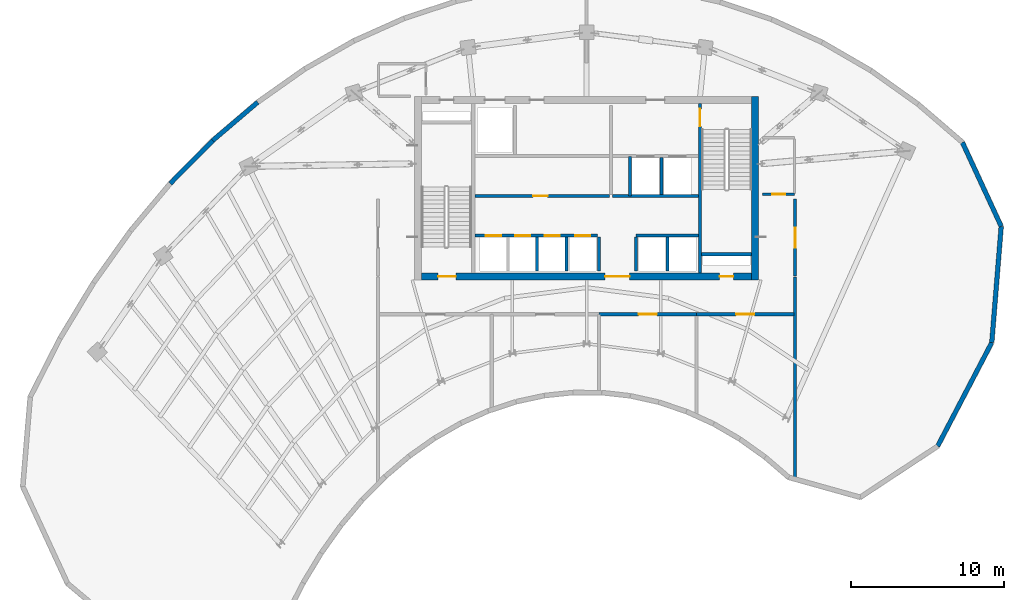
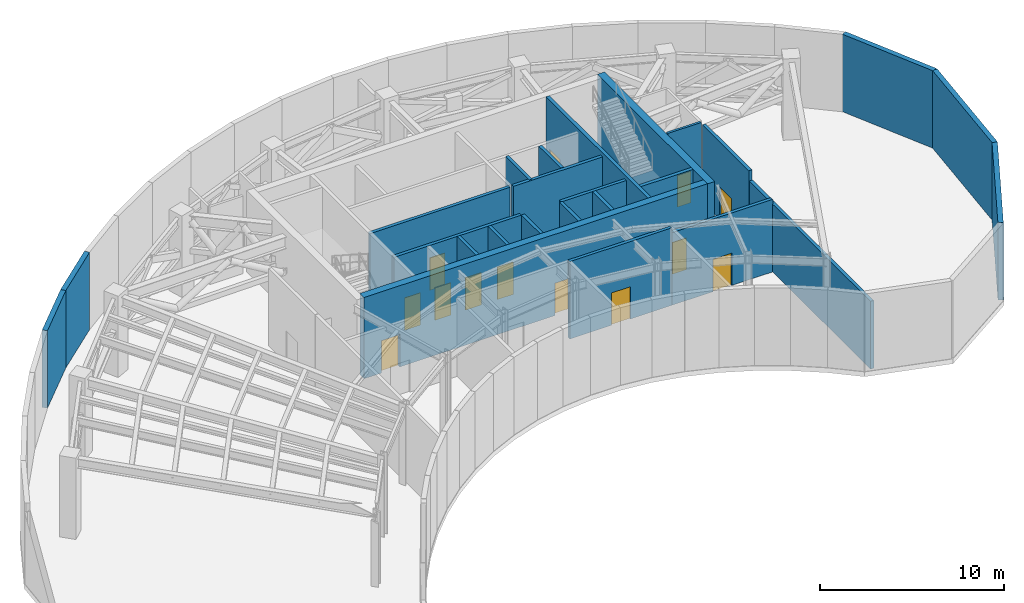
# One storey, part 7 of 10: 25 walls, 13 doors, 13 openings.
"""IFC4 building model written with IfcOpenShell, lengths in metres."""

from ifc_helpers import new_model, si_unit, direction, frame, frame_2d, origin, place, context, subcontext, project, spatial, rectangle, extrude, source, transform, mapped, material, layer, layer_set, type_object, type_shapes, element, fill, save


model = new_model("IFC4")

# Units and contexts
model_context = context("Model", 3, precision=1e-05, world=origin(), true_north=direction((0.0, 1.0)))
body_context = subcontext(model_context, "Body", "Model", "MODEL_VIEW")
ifc_project = project(units=[si_unit("LENGTHUNIT", "METRE"), si_unit("AREAUNIT", "SQUARE_METRE"), si_unit("VOLUMEUNIT", "CUBIC_METRE"), si_unit("PLANEANGLEUNIT", "RADIAN"), si_unit("MASSUNIT", "GRAM", prefix="KILO")], contexts=[model_context])

# Site, building, storey
site_placement = place(None, origin())
site = spatial("IfcSite", under=ifc_project, at=site_placement, CompositionType="ELEMENT")
building_placement = place(site_placement, origin())
building = spatial("IfcBuilding", under=site, at=building_placement, Name="Breltana Convention Tower", CompositionType="ELEMENT")
storey_placement = place(building_placement, frame((0.0, 0.0, 254.699951171875)))
storey = spatial("IfcBuildingStorey", under=building, at=storey_placement, Name="L62", CompositionType="ELEMENT", Elevation=254.699951171875)

# Wall
ifc_material_1 = material(Name="Concrete C60/75", Category="concrete")
ifc_layer_1 = layer(ifc_material_1, 0.449951171875, Name="Concrete C60/75")
ifc_layer_set_1 = layer_set([ifc_layer_1], Name="Concrete C60/75")
wall_type_1 = type_object("IfcWallType", Name="SW-CORE-450", PredefinedType="SHEAR", material=ifc_layer_set_1)
shared_shape_1 = source(origin(), body_context, "Body", "SweptSolid", [
    extrude(rectangle(XDim=12.0, YDim=0.449951171875, at=frame_2d((6.0, 0.0))), origin(), (0.0, 0.0, 1.0), 5.400146484375),
])
wall_1_placement = place(storey_placement, frame((59.02490234375, 60.199951171875, 0.0), z_axis=(0.0, 0.0, 1.0), x_axis=(0.0, 1.0, 0.0)))
element("IfcWall", 1, at=wall_1_placement, inside=storey, type_object=wall_type_1, Name="L62 East Core Shear Wall", PredefinedType="SHEAR", context=body_context, shape_type="MappedRepresentation", body=[
    mapped(shared_shape_1, transform((0.0, 0.0, 0.0), scale=1.0)),
])

# Wall, openings, doors
shared_shape_2 = source(origin(), body_context, "Body", "SweptSolid", [
    extrude(rectangle(XDim=21.60009765625, YDim=0.449951171875, at=frame_2d((10.800048828125, 0.0))), origin(), (0.0, 0.0, 1.0), 5.400146484375),
])
wall_2_placement = place(storey_placement, frame((37.199951171875, 60.425048828125, 0.0), z_axis=(0.0, 0.0, 1.0), x_axis=(1.0, 0.0, 0.0)))
wall_2 = element("IfcWall", 2, at=wall_2_placement, inside=storey, type_object=wall_type_1, Name="L62 South Core Shear Wall", PredefinedType="SHEAR", context=body_context, shape_type="MappedRepresentation", body=[
    mapped(shared_shape_2, transform((0.0, 0.0, 0.0), scale=1.0)),
])
opening_1_placement = place(wall_2_placement, frame((1.10009765625, 0.0, 0.0)))
opening_1 = element("IfcOpeningElement", 3, at=opening_1_placement, cuts=wall_2, Name="Opening D-11", PredefinedType="OPENING", context=body_context, shape_type="SweptSolid", body=[
    extrude(rectangle(XDim=1.14990234375, YDim=2.14990234375, at=frame_2d((0.574951171875, 1.074951171875))), frame((0.0, 0.23486328125, 0.0), z_axis=(0.0, -1.0, 0.0), x_axis=(1.0, 0.0, 0.0)), (0.0, 0.0, 1.0), 0.469970703125),
])
opening_2_placement = place(wall_2_placement, frame((19.5, 0.0, 0.0)))
opening_2 = element("IfcOpeningElement", 4, at=opening_2_placement, cuts=wall_2, Name="Opening D-18", PredefinedType="OPENING", context=body_context, shape_type="SweptSolid", body=[
    extrude(rectangle(XDim=0.89990234375, YDim=2.10009765625, at=frame_2d((0.449951171875, 1.050048828125))), frame((0.0, 0.23486328125, 0.0), z_axis=(0.0, -1.0, 0.0), x_axis=(1.0, 0.0, 0.0)), (0.0, 0.0, 1.0), 0.469970703125),
])
opening_3_placement = place(wall_2_placement, frame((12.02001953125, 0.0, 0.0)))
opening_3 = element("IfcOpeningElement", 5, at=opening_3_placement, cuts=wall_2, Name="Opening D-02", PredefinedType="OPENING", context=body_context, shape_type="SweptSolid", body=[
    extrude(rectangle(XDim=1.60009765625, YDim=2.14990234375, at=frame_2d((0.800048828125, 1.074951171875))), frame((0.0, 0.23486328125, 0.0), z_axis=(0.0, -1.0, 0.0), x_axis=(1.0, 0.0, 0.0)), (0.0, 0.0, 1.0), 0.469970703125),
])
ifc_material_2 = material(Name="Steel Stair Exit Door", Category="steel")
door_type_1 = type_object("IfcDoorType", Name="DR-FD120-1150", OperationType="NOTDEFINED", PredefinedType="DOOR", material=ifc_material_2)
shared_shape_3 = source(origin(), body_context, "Body", "SweptSolid", [
    extrude(rectangle(XDim=1.14990234375, YDim=2.14990234375, at=frame_2d((0.574951171875, 1.074951171875))), frame((0.0, 0.02490234375, 0.0), z_axis=(0.0, -1.0, 0.0), x_axis=(1.0, 0.0, 0.0)), (0.0, 0.0, 1.0), 0.050048828125),
])
type_shapes(door_type_1, [shared_shape_3])
door_1_placement = place(opening_1_placement, origin())
door_1 = element("IfcDoor", 6, at=door_1_placement, inside=storey, type_object=door_type_1, Name="L62 interior door D-L62-ST1", OperationType="SINGLE_SWING_LEFT", OverallHeight=2.14990234375, OverallWidth=1.14990234375, PredefinedType="DOOR", context=body_context, shape_type="MappedRepresentation", body=[
    mapped(shared_shape_3, transform((0.0, 0.0, 0.0), scale=1.0)),
])
fill(opening_1, door_1)
ifc_material_3 = material(Name="Steel Riser Fire Door", Category="steel")
door_type_2 = type_object("IfcDoorType", Name="DR-FD60-900", OperationType="NOTDEFINED", PredefinedType="DOOR", material=ifc_material_3)
shared_shape_4 = source(origin(), body_context, "Body", "SweptSolid", [
    extrude(rectangle(XDim=0.89990234375, YDim=2.10009765625, at=frame_2d((0.449951171875, 1.050048828125))), frame((0.0, 0.02490234375, 0.0), z_axis=(0.0, -1.0, 0.0), x_axis=(1.0, 0.0, 0.0)), (0.0, 0.0, 1.0), 0.050048828125),
])
type_shapes(door_type_2, [shared_shape_4])
door_2_placement = place(opening_2_placement, origin())
door_2 = element("IfcDoor", 7, at=door_2_placement, inside=storey, type_object=door_type_2, Name="L62 Core Riser Access Door D-L62-RS2", OperationType="SINGLE_SWING_RIGHT", OverallHeight=2.10009765625, OverallWidth=0.89990234375, PredefinedType="DOOR", context=body_context, shape_type="MappedRepresentation", body=[
    mapped(shared_shape_4, transform((0.0, 0.0, 0.0), scale=1.0)),
])
fill(opening_2, door_2)
ifc_material_4 = material(Name="Steel Glazed Smoke-Control Door", Category="steel")
door_type_3 = type_object("IfcDoorType", Name="DR-DBL-FD90-1600", OperationType="DOUBLE_DOOR_SINGLE_SWING", PredefinedType="DOOR", material=ifc_material_4)
shared_shape_5 = source(origin(), body_context, "Body", "SweptSolid", [
    extrude(rectangle(XDim=1.60009765625, YDim=2.14990234375, at=frame_2d((0.800048828125, 1.074951171875))), frame((0.0, 0.02490234375, 0.0), z_axis=(0.0, -1.0, 0.0), x_axis=(1.0, 0.0, 0.0)), (0.0, 0.0, 1.0), 0.050048828125),
])
type_shapes(door_type_3, [shared_shape_5])
door_3_placement = place(opening_3_placement, origin())
door_3 = element("IfcDoor", 8, at=door_3_placement, inside=storey, type_object=door_type_3, Name="L62 interior door D-L62-LLB-S", OperationType="DOUBLE_DOOR_SINGLE_SWING", OverallHeight=2.14990234375, OverallWidth=1.60009765625, PredefinedType="DOOR", context=body_context, shape_type="MappedRepresentation", body=[
    mapped(shared_shape_5, transform((0.0, 0.0, 0.0), scale=1.0)),
])
fill(opening_3, door_3)

# Wall
ifc_material_5 = material(Name="Concrete C50/60", Category="concrete")
ifc_layer_2 = layer(ifc_material_5, 0.39990234375, Name="Concrete C50/60")
ifc_layer_set_2 = layer_set([ifc_layer_2], Name="Concrete C50/60")
wall_type_2 = type_object("IfcWallType", Name="SW-CORE-400", PredefinedType="SHEAR", material=ifc_layer_set_2)
shared_shape_6 = source(origin(), body_context, "Body", "SweptSolid", [
    extrude(rectangle(XDim=3.27001953125, YDim=0.219970703125, at=frame_2d((1.635009765625, 0.0))), origin(), (0.0, 0.0, 1.0), 5.400146484375),
])
wall_3_placement = place(storey_placement, frame((55.530029296875, 61.889892578125, 0.0), z_axis=(0.0, 0.0, 1.0), x_axis=(1.0, 0.0, 0.0)))
element("IfcWall", 9, at=wall_3_placement, inside=storey, type_object=wall_type_2, Name="L62 ST-2 Stairwell South Bearing Wall", PredefinedType="SHEAR", context=body_context, shape_type="MappedRepresentation", body=[
    mapped(shared_shape_6, transform((0.0, 0.0, 0.0), scale=1.0)),
])

# Wall, opening, door
shared_shape_7 = source(origin(), body_context, "Body", "SweptSolid", [
    extrude(rectangle(XDim=11.10009765625, YDim=0.219970703125, at=frame_2d((5.550048828125, 0.0))), origin(), (0.0, 0.0, 1.0), 5.400146484375),
])
wall_4_placement = place(storey_placement, frame((55.419921875, 60.64990234375, 0.0), z_axis=(0.0, 0.0, 1.0), x_axis=(0.0, 1.0, 0.0)))
wall_4 = element("IfcWall", 10, at=wall_4_placement, inside=storey, type_object=wall_type_2, Name="L62 Core East Stair Spine Wall", PredefinedType="SHEAR", context=body_context, shape_type="MappedRepresentation", body=[
    mapped(shared_shape_7, transform((0.0, 0.0, 0.0), scale=1.0)),
])
opening_4_placement = place(wall_4_placement, frame((9.594970703125, 0.0, 0.0)))
opening_4 = element("IfcOpeningElement", 11, at=opening_4_placement, cuts=wall_4, Name="Opening D-11", PredefinedType="OPENING", context=body_context, shape_type="SweptSolid", body=[
    extrude(rectangle(XDim=1.14990234375, YDim=2.14990234375, at=frame_2d((0.574951171875, 1.074951171875))), frame((0.0, 0.1201171875, 0.0), z_axis=(0.0, -1.0, 0.0), x_axis=(1.0, 0.0, 0.0)), (0.0, 0.0, 1.0), 0.239990234375),
])
door_4_placement = place(opening_4_placement, origin())
door_4 = element("IfcDoor", 12, at=door_4_placement, inside=storey, type_object=door_type_1, Name="L62 interior door D-L62-ST2", OperationType="SINGLE_SWING_LEFT", OverallHeight=2.14990234375, OverallWidth=1.14990234375, PredefinedType="DOOR", context=body_context, shape_type="MappedRepresentation", body=[
    mapped(shared_shape_3, transform((0.0, 0.0, 0.0), scale=1.0)),
])
fill(opening_4, door_4)

# Walls
ifc_material_6 = material(Name="Limestone Buff Insulated Wall", Category="masonry")
ifc_layer_3 = layer(ifc_material_6, 0.300048828125, Name="Limestone Buff Insulated Wall")
ifc_layer_set_3 = layer_set([ifc_layer_3], Name="Limestone Buff Insulated Wall")
wall_type_3 = type_object("IfcWallType", Name="WL-EXT-CRN-300", PredefinedType="SOLIDWALL", material=ifc_layer_set_3)
shared_shape_8 = source(origin(), body_context, "Body", "SweptSolid", [
    extrude(rectangle(XDim=6.049560546875, YDim=0.300048828125, at=frame_2d((3.02490234375, 0.0))), origin(), (0.0, 0.0, 1.0), 5.150146484375),
])
wall_5_placement = place(storey_placement, frame((72.57421875, 69.1982421875, 0.0), z_axis=(0.0, 0.0, 1.0), x_axis=(0.41942922905, -0.907788037935, 0.0)))
element("IfcWall", 13, at=wall_5_placement, inside=storey, type_object=wall_type_3, Name="L62 mechanical limestone enclosure wall 1", PredefinedType="SOLIDWALL", context=body_context, shape_type="MappedRepresentation", body=[
    mapped(shared_shape_8, transform((0.0, 0.0, 0.0), scale=1.0)),
])
shared_shape_9 = source(origin(), body_context, "Body", "SweptSolid", [
    extrude(rectangle(XDim=7.618408203125, YDim=0.300048828125, at=frame_2d((3.80908203125, 0.0))), origin(), (0.0, 0.0, 1.0), 5.150146484375),
])
wall_6_placement = place(storey_placement, frame((75.111572265625, 63.70654296875, 0.0), z_axis=(0.0, 0.0, 1.0), x_axis=(-0.080820171031, -0.996728699273, 0.0)))
element("IfcWall", 14, at=wall_6_placement, inside=storey, type_object=wall_type_3, Name="L62 mechanical limestone enclosure wall 2", PredefinedType="SOLIDWALL", context=body_context, shape_type="MappedRepresentation", body=[
    mapped(shared_shape_9, transform((0.0, 0.0, 0.0), scale=1.0)),
])
shared_shape_10 = source(origin(), body_context, "Body", "SweptSolid", [
    extrude(rectangle(XDim=7.647705078125, YDim=0.300048828125, at=frame_2d((3.82373046875, 0.0))), origin(), (0.0, 0.0, 1.0), 5.150146484375),
])
wall_7_placement = place(storey_placement, frame((74.495849609375, 56.113037109375, 0.0), z_axis=(0.0, 0.0, 1.0), x_axis=(-0.463116873665, -0.886297219519, 0.0)))
element("IfcWall", 15, at=wall_7_placement, inside=storey, type_object=wall_type_3, Name="L62 mechanical limestone enclosure wall 3", PredefinedType="SOLIDWALL", context=body_context, shape_type="MappedRepresentation", body=[
    mapped(shared_shape_10, transform((0.0, 0.0, 0.0), scale=1.0)),
])
shared_shape_11 = source(origin(), body_context, "Body", "SweptSolid", [
    extrude(rectangle(XDim=3.955078125, YDim=0.300048828125, at=frame_2d((1.9775390625, 0.0))), origin(), (0.0, 0.0, 1.0), 5.150146484375),
])
wall_8_placement = place(storey_placement, frame((20.7763671875, 66.50732421875, 0.0), z_axis=(0.0, 0.0, 1.0), x_axis=(0.702710517474, 0.711475880569, 0.0)))
element("IfcWall", 16, at=wall_8_placement, inside=storey, type_object=wall_type_3, Name="L62 mechanical limestone enclosure wall 54", PredefinedType="SOLIDWALL", context=body_context, shape_type="MappedRepresentation", body=[
    mapped(shared_shape_11, transform((0.0, 0.0, 0.0), scale=1.0)),
])
shared_shape_12 = source(origin(), body_context, "Body", "SweptSolid", [
    extrude(rectangle(XDim=3.8603515625, YDim=0.300048828125, at=frame_2d((1.93017578125, 0.0))), origin(), (0.0, 0.0, 1.0), 5.150146484375),
])
wall_9_placement = place(storey_placement, frame((23.5556640625, 69.3212890625, 0.0), z_axis=(0.0, 0.0, 1.0), x_axis=(0.761497547739, 0.648167790613, 0.0)))
element("IfcWall", 17, at=wall_9_placement, inside=storey, type_object=wall_type_3, Name="L62 mechanical limestone enclosure wall 55", PredefinedType="SOLIDWALL", context=body_context, shape_type="MappedRepresentation", body=[
    mapped(shared_shape_12, transform((0.0, 0.0, 0.0), scale=1.0)),
])
ifc_material_7 = material(Name="Autoclaved Aerated Concrete Block", Category="concrete")
ifc_layer_4 = layer(ifc_material_7, 0.199951171875, Name="Autoclaved Aerated Concrete Block")
ifc_layer_set_4 = layer_set([ifc_layer_4], Name="Autoclaved Aerated Concrete Block")
wall_type_4 = type_object("IfcWallType", Name="WL-SHAFT-200", PredefinedType="SOLIDWALL", material=ifc_layer_set_4)
shared_shape_13 = source(origin(), body_context, "Body", "SweptSolid", [
    extrude(rectangle(XDim=2.239990234375, YDim=0.199951171875, at=frame_2d((1.1201171875, 0.0))), origin(), (0.0, 0.0, 1.0), 5.150146484375),
])
for number, where, z_axis, x_axis, name in (
    (18, (48.820068359375, 60.780029296875, 0.0), (0.0, 0.0, 1.0), (0.0, 1.0, 0.0), "L62 interior partition W-L62-PORT-W"),
    (19, (51.219970703125, 60.780029296875, 0.0), (0.0, 0.0, 1.0), (0.0, 1.0, 0.0), "L62 interior partition W-L62-PORT-E"),
):
    element("IfcWall", number, at=place(storey_placement, frame(where, z_axis=z_axis, x_axis=x_axis)), inside=storey, type_object=wall_type_4, Name=name, PredefinedType="SOLIDWALL", context=body_context, shape_type="MappedRepresentation", body=[
        mapped(shared_shape_13, transform((0.0, 0.0, 0.0), scale=1.0)),
    ])
shared_shape_14 = source(origin(), body_context, "Body", "SweptSolid", [
    extrude(rectangle(XDim=5.6201171875, YDim=0.199951171875, at=frame_2d((2.81005859375, 0.0))), origin(), (0.0, 0.0, 1.0), 5.150146484375),
])
wall_10_placement = place(storey_placement, frame((49.699951171875, 65.679931640625, 0.0), z_axis=(0.0, 0.0, 1.0), x_axis=(1.0, 0.0, 0.0)))
element("IfcWall", 20, at=wall_10_placement, inside=storey, type_object=wall_type_4, Name="L62 interior partition W-L62-FL-S", PredefinedType="SOLIDWALL", context=body_context, shape_type="MappedRepresentation", body=[
    mapped(shared_shape_14, transform((0.0, 0.0, 0.0), scale=1.0)),
])
shared_shape_15 = source(origin(), body_context, "Body", "SweptSolid", [
    extrude(rectangle(XDim=2.580078125, YDim=0.199951171875, at=frame_2d((1.2900390625, 0.0))), origin(), (0.0, 0.0, 1.0), 5.150146484375),
])
wall_11_placement = place(storey_placement, frame((50.85009765625, 65.679931640625, 0.0), z_axis=(0.0, 0.0, 1.0), x_axis=(0.0, 1.0, 0.0)))
element("IfcWall", 21, at=wall_11_placement, inside=storey, type_object=wall_type_4, Name="L62 interior partition W-L62-FL-W", PredefinedType="SOLIDWALL", context=body_context, shape_type="MappedRepresentation", body=[
    mapped(shared_shape_15, transform((0.0, 0.0, 0.0), scale=1.0)),
])
shared_shape_16 = source(origin(), body_context, "Body", "SweptSolid", [
    extrude(rectangle(XDim=2.39990234375, YDim=0.199951171875, at=frame_2d((1.199951171875, 0.0))), origin(), (0.0, 0.0, 1.0), 5.150146484375),
])
wall_12_placement = place(storey_placement, frame((52.89990234375, 65.800048828125, 0.0), z_axis=(0.0, 0.0, 1.0), x_axis=(0.0, 1.0, 0.0)))
element("IfcWall", 22, at=wall_12_placement, inside=storey, type_object=wall_type_4, Name="L62 interior partition W-L62-FL-DIV", PredefinedType="SOLIDWALL", context=body_context, shape_type="MappedRepresentation", body=[
    mapped(shared_shape_16, transform((0.0, 0.0, 0.0), scale=1.0)),
])

# Wall, opening, door
shared_shape_17 = source(origin(), body_context, "Body", "SweptSolid", [
    extrude(rectangle(XDim=8.800048828125, YDim=0.199951171875, at=frame_2d((4.39990234375, 0.0))), origin(), (0.0, 0.0, 1.0), 5.150146484375),
])
wall_13_placement = place(storey_placement, frame((40.699951171875, 65.699951171875, 0.0), z_axis=(0.0, 0.0, 1.0), x_axis=(1.0, 0.0, 0.0)))
wall_13 = element("IfcWall", 23, at=wall_13_placement, inside=storey, type_object=wall_type_4, Name="L62 interior partition W-L62-SH-M-FRONT", PredefinedType="SOLIDWALL", context=body_context, shape_type="MappedRepresentation", body=[
    mapped(shared_shape_17, transform((0.0, 0.0, 0.0), scale=1.0)),
])
opening_5_placement = place(wall_13_placement, frame((3.800048828125, 0.0, 0.0)))
opening_5 = element("IfcOpeningElement", 24, at=opening_5_placement, cuts=wall_13, Name="Opening D-14", PredefinedType="OPENING", context=body_context, shape_type="SweptSolid", body=[
    extrude(rectangle(XDim=0.949951171875, YDim=2.14990234375, at=frame_2d((0.47509765625, 1.074951171875))), frame((0.0, 0.10986328125, 0.0), z_axis=(0.0, -1.0, 0.0), x_axis=(1.0, 0.0, 0.0)), (0.0, 0.0, 1.0), 0.219970703125),
])
ifc_material_8 = material(Name="Timber Solid-Core Fire Door", Category="wood")
door_type_4 = type_object("IfcDoorType", Name="DR-FD60-950", OperationType="NOTDEFINED", PredefinedType="DOOR", material=ifc_material_8)
shared_shape_18 = source(origin(), body_context, "Body", "SweptSolid", [
    extrude(rectangle(XDim=0.949951171875, YDim=2.14990234375, at=frame_2d((0.47509765625, 1.074951171875))), frame((0.0, 0.02490234375, 0.0), z_axis=(0.0, -1.0, 0.0), x_axis=(1.0, 0.0, 0.0)), (0.0, 0.0, 1.0), 0.050048828125),
])
type_shapes(door_type_4, [shared_shape_18])
door_5_placement = place(opening_5_placement, origin())
door_5 = element("IfcDoor", 25, at=door_5_placement, inside=storey, type_object=door_type_4, Name="L62 interior door D-L62-LV7-B2A", OperationType="SINGLE_SWING_LEFT", OverallHeight=2.14990234375, OverallWidth=0.949951171875, PredefinedType="DOOR", context=body_context, shape_type="MappedRepresentation", body=[
    mapped(shared_shape_18, transform((0.0, 0.0, 0.0), scale=1.0)),
])
fill(opening_5, door_5)

# Wall, openings, doors
shared_shape_19 = source(origin(), body_context, "Body", "SweptSolid", [
    extrude(rectangle(XDim=8.02001953125, YDim=0.199951171875, at=frame_2d((4.010009765625, 0.0))), origin(), (0.0, 0.0, 1.0), 5.150146484375),
])
wall_14_placement = place(storey_placement, frame((40.699951171875, 63.10009765625, 0.0), z_axis=(0.0, 0.0, 1.0), x_axis=(1.0, 0.0, 0.0)))
wall_14 = element("IfcWall", 26, at=wall_14_placement, inside=storey, type_object=wall_type_4, Name="L62 interior partition W-L62-SH-S-FRONT", PredefinedType="SOLIDWALL", context=body_context, shape_type="MappedRepresentation", body=[
    mapped(shared_shape_19, transform((0.0, 0.0, 0.0), scale=1.0)),
])
opening_6_placement = place(wall_14_placement, frame((0.719970703125, 0.0, 0.0)))
opening_6 = element("IfcOpeningElement", 27, at=opening_6_placement, cuts=wall_14, Name="Opening LD-04", PredefinedType="OPENING", context=body_context, shape_type="SweptSolid", body=[
    extrude(rectangle(XDim=1.0, YDim=2.14990234375, at=frame_2d((0.5, 1.074951171875))), frame((0.0, 0.10986328125, 0.0), z_axis=(0.0, -1.0, 0.0), x_axis=(1.0, 0.0, 0.0)), (0.0, 0.0, 1.0), 0.219970703125),
])
opening_7_placement = place(wall_14_placement, frame((2.6201171875, 0.0, 0.0)))
opening_7 = element("IfcOpeningElement", 28, at=opening_7_placement, cuts=wall_14, Name="Opening LD-04", PredefinedType="OPENING", context=body_context, shape_type="SweptSolid", body=[
    extrude(rectangle(XDim=1.0, YDim=2.14990234375, at=frame_2d((0.5, 1.074951171875))), frame((0.0, 0.10986328125, 0.0), z_axis=(0.0, -1.0, 0.0), x_axis=(1.0, 0.0, 0.0)), (0.0, 0.0, 1.0), 0.219970703125),
])
opening_8_placement = place(wall_14_placement, frame((4.550048828125, 0.0, 0.0)))
opening_8 = element("IfcOpeningElement", 29, at=opening_8_placement, cuts=wall_14, Name="Opening LD-04", PredefinedType="OPENING", context=body_context, shape_type="SweptSolid", body=[
    extrude(rectangle(XDim=1.0, YDim=2.14990234375, at=frame_2d((0.5, 1.074951171875))), frame((0.0, 0.10986328125, 0.0), z_axis=(0.0, -1.0, 0.0), x_axis=(1.0, 0.0, 0.0)), (0.0, 0.0, 1.0), 0.219970703125),
])
opening_9_placement = place(wall_14_placement, frame((6.550048828125, 0.0, 0.0)))
opening_9 = element("IfcOpeningElement", 30, at=opening_9_placement, cuts=wall_14, Name="Opening LD-04", PredefinedType="OPENING", context=body_context, shape_type="SweptSolid", body=[
    extrude(rectangle(XDim=1.0, YDim=2.14990234375, at=frame_2d((0.5, 1.074951171875))), frame((0.0, 0.10986328125, 0.0), z_axis=(0.0, -1.0, 0.0), x_axis=(1.0, 0.0, 0.0)), (0.0, 0.0, 1.0), 0.219970703125),
])
ifc_material_9 = material(Name="Stainless Steel Brushed", Category="steel")
door_type_5 = type_object("IfcDoorType", Name="DR-LD-PAX-1000", OperationType="DOUBLE_DOOR_SLIDING", PredefinedType="DOOR", material=ifc_material_9)
shared_shape_20 = source(origin(), body_context, "Body", "SweptSolid", [
    extrude(rectangle(XDim=1.0, YDim=2.14990234375, at=frame_2d((0.5, 1.074951171875))), frame((0.0, 0.02490234375, 0.0), z_axis=(0.0, -1.0, 0.0), x_axis=(1.0, 0.0, 0.0)), (0.0, 0.0, 1.0), 0.050048828125),
])
type_shapes(door_type_5, [shared_shape_20])
door_6_placement = place(opening_6_placement, origin())
door_6 = element("IfcDoor", 31, at=door_6_placement, inside=storey, type_object=door_type_5, Name="L62 Lift Landing Door D-L62-LD-S1", OperationType="DOUBLE_DOOR_SLIDING", OverallHeight=2.14990234375, OverallWidth=1.0, PredefinedType="DOOR", context=body_context, shape_type="MappedRepresentation", body=[
    mapped(shared_shape_20, transform((0.0, 0.0, 0.0), scale=1.0)),
])
fill(opening_6, door_6)
door_7_placement = place(opening_7_placement, origin())
door_7 = element("IfcDoor", 32, at=door_7_placement, inside=storey, type_object=door_type_5, Name="L62 Lift Landing Door D-L62-LD-S2", OperationType="DOUBLE_DOOR_SLIDING", OverallHeight=2.14990234375, OverallWidth=1.0, PredefinedType="DOOR", context=body_context, shape_type="MappedRepresentation", body=[
    mapped(shared_shape_20, transform((0.0, 0.0, 0.0), scale=1.0)),
])
fill(opening_7, door_7)
door_8_placement = place(opening_8_placement, origin())
door_8 = element("IfcDoor", 33, at=door_8_placement, inside=storey, type_object=door_type_5, Name="L62 Lift Landing Door D-L62-LD-S3", OperationType="DOUBLE_DOOR_SLIDING", OverallHeight=2.14990234375, OverallWidth=1.0, PredefinedType="DOOR", context=body_context, shape_type="MappedRepresentation", body=[
    mapped(shared_shape_20, transform((0.0, 0.0, 0.0), scale=1.0)),
])
fill(opening_8, door_8)
door_9_placement = place(opening_9_placement, origin())
door_9 = element("IfcDoor", 34, at=door_9_placement, inside=storey, type_object=door_type_5, Name="L62 Lift Landing Door D-L62-LD-S4", OperationType="DOUBLE_DOOR_SLIDING", OverallHeight=2.14990234375, OverallWidth=1.0, PredefinedType="DOOR", context=body_context, shape_type="MappedRepresentation", body=[
    mapped(shared_shape_20, transform((0.0, 0.0, 0.0), scale=1.0)),
])
fill(opening_9, door_9)

# Walls
shared_shape_21 = source(origin(), body_context, "Body", "SweptSolid", [
    extrude(rectangle(XDim=4.10009765625, YDim=0.199951171875, at=frame_2d((2.050048828125, 0.0))), origin(), (0.0, 0.0, 1.0), 5.150146484375),
])
wall_15_placement = place(storey_placement, frame((51.219970703125, 63.10009765625, 0.0), z_axis=(0.0, 0.0, 1.0), x_axis=(1.0, 0.0, 0.0)))
element("IfcWall", 35, at=wall_15_placement, inside=storey, type_object=wall_type_4, Name="L62 interior partition W-L62-SH-X-FRONT", PredefinedType="SOLIDWALL", context=body_context, shape_type="MappedRepresentation", body=[
    mapped(shared_shape_21, transform((0.0, 0.0, 0.0), scale=1.0)),
])
shared_shape_22 = source(origin(), body_context, "Body", "SweptSolid", [
    extrude(rectangle(XDim=2.199951171875, YDim=0.199951171875, at=frame_2d((1.10009765625, 0.0))), origin(), (0.0, 0.0, 1.0), 5.150146484375),
])
for number, where, z_axis, x_axis, name in (
    (36, (44.77001953125, 60.800048828125, 0.0), (0.0, 0.0, 1.0), (0.0, 1.0, 0.0), "L62 interior partition W-L62-SH-S-DIV2"),
    (37, (46.699951171875, 60.800048828125, 0.0), (0.0, 0.0, 1.0), (0.0, 1.0, 0.0), "L62 interior partition W-L62-SH-S-DIV3"),
    (38, (53.280029296875, 60.800048828125, 0.0), (0.0, 0.0, 1.0), (0.0, 1.0, 0.0), "L62 interior partition W-L62-SH-X-DIV"),
):
    element("IfcWall", number, at=place(storey_placement, frame(where, z_axis=z_axis, x_axis=x_axis)), inside=storey, type_object=wall_type_4, Name=name, PredefinedType="SOLIDWALL", context=body_context, shape_type="MappedRepresentation", body=[
        mapped(shared_shape_22, transform((0.0, 0.0, 0.0), scale=1.0)),
    ])

# Wall, opening, door
ifc_material_10 = material(Name="Gypsum Acoustic Drywall Partition")
ifc_layer_5 = layer(ifc_material_10, 0.14990234375, Name="Gypsum Acoustic Drywall Partition")
ifc_layer_set_5 = layer_set([ifc_layer_5], Name="Gypsum Acoustic Drywall Partition")
wall_type_5 = type_object("IfcWallType", Name="WL-PART-150", PredefinedType="PARTITIONING", material=ifc_layer_set_5)
shared_shape_23 = source(origin(), body_context, "Body", "SweptSolid", [
    extrude(rectangle(XDim=2.10009765625, YDim=0.14990234375, at=frame_2d((1.050048828125, 0.0))), origin(), (0.0, 0.0, 1.0), 5.150146484375),
])
wall_16_placement = place(storey_placement, frame((59.5, 65.800048828125, 0.0), z_axis=(0.0, 0.0, 1.0), x_axis=(1.0, 0.0, 0.0)))
wall_16 = element("IfcWall", 39, at=wall_16_placement, inside=storey, type_object=wall_type_5, Name="L62 interior partition W-L62-CRSE-S", PredefinedType="PARTITIONING", context=body_context, shape_type="MappedRepresentation", body=[
    mapped(shared_shape_23, transform((0.0, 0.0, 0.0), scale=1.0)),
])
opening_10_placement = place(wall_16_placement, frame((0.625, 0.0, 0.0)))
opening_10 = element("IfcOpeningElement", 40, at=opening_10_placement, cuts=wall_16, Name="Opening D-20", PredefinedType="OPENING", context=body_context, shape_type="SweptSolid", body=[
    extrude(rectangle(XDim=0.85009765625, YDim=2.10009765625, at=frame_2d((0.425048828125, 1.050048828125))), frame((0.0, 0.0849609375, 0.0), z_axis=(0.0, -1.0, 0.0), x_axis=(1.0, 0.0, 0.0)), (0.0, 0.0, 1.0), 0.169921875),
])
ifc_material_11 = material(Name="Steel Closet Fire Door", Category="steel")
door_type_6 = type_object("IfcDoorType", Name="DR-FD60-850", OperationType="NOTDEFINED", PredefinedType="DOOR", material=ifc_material_11)
shared_shape_24 = source(origin(), body_context, "Body", "SweptSolid", [
    extrude(rectangle(XDim=0.85009765625, YDim=2.10009765625, at=frame_2d((0.425048828125, 1.050048828125))), frame((0.0, 0.02490234375, 0.0), z_axis=(0.0, -1.0, 0.0), x_axis=(1.0, 0.0, 0.0)), (0.0, 0.0, 1.0), 0.050048828125),
])
type_shapes(door_type_6, [shared_shape_24])
door_10_placement = place(opening_10_placement, origin())
door_10 = element("IfcDoor", 41, at=door_10_placement, inside=storey, type_object=door_type_6, Name="L62 interior door D-L62-CRSE", OperationType="SINGLE_SWING_LEFT", OverallHeight=2.10009765625, OverallWidth=0.85009765625, PredefinedType="DOOR", context=body_context, shape_type="MappedRepresentation", body=[
    mapped(shared_shape_24, transform((0.0, 0.0, 0.0), scale=1.0)),
])
fill(opening_10, door_10)

shared_shape_25 = source(origin(), body_context, "Body", "SweptSolid", [
    extrude(rectangle(XDim=6.39990234375, YDim=0.199951171875, at=frame_2d((3.199951171875, 0.0))), origin(), (0.0, 0.0, 1.0), 5.150146484375),
])
wall_17_placement = place(storey_placement, frame((48.800048828125, 57.9599609375, 0.0), z_axis=(0.0, 0.0, 1.0), x_axis=(1.0, 0.0, 0.0)))
wall_17 = element("IfcWall", 42, at=wall_17_placement, inside=storey, type_object=wall_type_4, Name="L62 interior partition W-L62-PLS-N3", PredefinedType="SOLIDWALL", context=body_context, shape_type="MappedRepresentation", body=[
    mapped(shared_shape_25, transform((0.0, 0.0, 0.0), scale=1.0)),
])
opening_11_placement = place(wall_17_placement, frame((2.60009765625, 0.0, 0.0)))
opening_11 = element("IfcOpeningElement", 43, at=opening_11_placement, cuts=wall_17, Name="Opening D-09", PredefinedType="OPENING", context=body_context, shape_type="SweptSolid", body=[
    extrude(rectangle(XDim=1.199951171875, YDim=2.14990234375, at=frame_2d((0.60009765625, 1.074951171875))), frame((0.0, 0.10986328125, 0.0), z_axis=(0.0, -1.0, 0.0), x_axis=(1.0, 0.0, 0.0)), (0.0, 0.0, 1.0), 0.219970703125),
])
ifc_material_12 = material(Name="Steel Fire Lobby Door", Category="steel")
door_type_7 = type_object("IfcDoorType", Name="DR-FD120-1200", OperationType="NOTDEFINED", PredefinedType="DOOR", material=ifc_material_12)
shared_shape_26 = source(origin(), body_context, "Body", "SweptSolid", [
    extrude(rectangle(XDim=1.199951171875, YDim=2.14990234375, at=frame_2d((0.60009765625, 1.074951171875))), frame((0.0, 0.02490234375, 0.0), z_axis=(0.0, -1.0, 0.0), x_axis=(1.0, 0.0, 0.0)), (0.0, 0.0, 1.0), 0.050048828125),
])
type_shapes(door_type_7, [shared_shape_26])
door_11_placement = place(opening_11_placement, origin())
door_11 = element("IfcDoor", 44, at=door_11_placement, inside=storey, type_object=door_type_7, Name="L62 interior door D-L62-PL-PMP", OperationType="SINGLE_SWING_RIGHT", OverallHeight=2.14990234375, OverallWidth=1.199951171875, PredefinedType="DOOR", context=body_context, shape_type="MappedRepresentation", body=[
    mapped(shared_shape_26, transform((0.0, 0.0, 0.0), scale=1.0)),
])
fill(opening_11, door_11)

shared_shape_27 = source(origin(), body_context, "Body", "SweptSolid", [
    extrude(rectangle(XDim=6.35009765625, YDim=0.199951171875, at=frame_2d((3.175048828125, 0.0))), origin(), (0.0, 0.0, 1.0), 4.823974609375),
])
wall_18_placement = place(storey_placement, frame((55.199951171875, 57.9599609375, 0.0), z_axis=(0.0, 0.0, 1.0), x_axis=(1.0, 0.0, 0.0)))
wall_18 = element("IfcWall", 45, at=wall_18_placement, inside=storey, type_object=wall_type_4, Name="L62 interior partition W-L62-PLS-N4", PredefinedType="SOLIDWALL", context=body_context, shape_type="MappedRepresentation", body=[
    mapped(shared_shape_27, transform((0.0, 0.0, 0.0), scale=1.0)),
])
opening_12_placement = place(wall_18_placement, frame((2.574951171875, 0.0, 0.0)))
opening_12 = element("IfcOpeningElement", 46, at=opening_12_placement, cuts=wall_18, Name="Opening D-09", PredefinedType="OPENING", context=body_context, shape_type="SweptSolid", body=[
    extrude(rectangle(XDim=1.199951171875, YDim=2.14990234375, at=frame_2d((0.60009765625, 1.074951171875))), frame((0.0, 0.10986328125, 0.0), z_axis=(0.0, -1.0, 0.0), x_axis=(1.0, 0.0, 0.0)), (0.0, 0.0, 1.0), 0.219970703125),
])
door_12_placement = place(opening_12_placement, origin())
door_12 = element("IfcDoor", 47, at=door_12_placement, inside=storey, type_object=door_type_7, Name="L62 interior door D-L62-PL-SWG", OperationType="SINGLE_SWING_LEFT", OverallHeight=2.14990234375, OverallWidth=1.199951171875, PredefinedType="DOOR", context=body_context, shape_type="MappedRepresentation", body=[
    mapped(shared_shape_26, transform((0.0, 0.0, 0.0), scale=1.0)),
])
fill(opening_12, door_12)

shared_shape_28 = source(origin(), body_context, "Body", "SweptSolid", [
    extrude(rectangle(XDim=5.050048828125, YDim=0.199951171875, at=frame_2d((2.52490234375, 0.0))), origin(), (0.0, 0.0, 1.0), 5.150146484375),
])
wall_19_placement = place(storey_placement, frame((61.639892578125, 60.449951171875, 0.0), z_axis=(0.0, 0.0, 1.0), x_axis=(0.0, 1.0, 0.0)))
wall_19 = element("IfcWall", 48, at=wall_19_placement, inside=storey, type_object=wall_type_4, Name="L62 interior partition W-L62-REFE-D", PredefinedType="SOLIDWALL", context=body_context, shape_type="MappedRepresentation", body=[
    mapped(shared_shape_28, transform((0.0, 0.0, 0.0), scale=1.0)),
])
opening_13_placement = place(wall_19_placement, frame((1.875, 0.0, 0.0)))
opening_13 = element("IfcOpeningElement", 49, at=opening_13_placement, cuts=wall_19, Name="Opening D-08", PredefinedType="OPENING", context=body_context, shape_type="SweptSolid", body=[
    extrude(rectangle(XDim=1.300048828125, YDim=2.14990234375, at=frame_2d((0.64990234375, 1.074951171875))), frame((0.0, 0.10986328125, 0.0), z_axis=(0.0, -1.0, 0.0), x_axis=(1.0, 0.0, 0.0)), (0.0, 0.0, 1.0), 0.219970703125),
])
ifc_material_13 = material(Name="Steel Fire Exit Door", Category="steel")
door_type_8 = type_object("IfcDoorType", Name="DR-FD120-1300", OperationType="NOTDEFINED", PredefinedType="DOOR", material=ifc_material_13)
shared_shape_29 = source(origin(), body_context, "Body", "SweptSolid", [
    extrude(rectangle(XDim=1.300048828125, YDim=2.14990234375, at=frame_2d((0.64990234375, 1.074951171875))), frame((0.0, 0.02490234375, 0.0), z_axis=(0.0, -1.0, 0.0), x_axis=(1.0, 0.0, 0.0)), (0.0, 0.0, 1.0), 0.050048828125),
])
type_shapes(door_type_8, [shared_shape_29])
door_13_placement = place(opening_13_placement, origin())
door_13 = element("IfcDoor", 50, at=door_13_placement, inside=storey, type_object=door_type_8, Name="L62 interior door D-L62-REFE", OperationType="SINGLE_SWING_LEFT", OverallHeight=2.14990234375, OverallWidth=1.300048828125, PredefinedType="DOOR", context=body_context, shape_type="MappedRepresentation", body=[
    mapped(shared_shape_29, transform((0.0, 0.0, 0.0), scale=1.0)),
])
fill(opening_13, door_13)

# Wall
shared_shape_30 = source(origin(), body_context, "Body", "SweptSolid", [
    extrude(rectangle(XDim=13.20703125, YDim=0.199951171875, at=frame_2d((6.603515625, 0.0))), origin(), (0.0, 0.0, 1.0), 4.508056640625),
])
wall_20_placement = place(storey_placement, frame((61.639892578125, 47.19287109375, 0.0), z_axis=(0.0, 0.0, 1.0), x_axis=(0.0, 1.0, 0.0)))
element("IfcWall", 51, at=wall_20_placement, inside=storey, type_object=wall_type_4, Name="L62 interior partition W-L62-REFE-S", PredefinedType="SOLIDWALL", context=body_context, shape_type="MappedRepresentation", body=[
    mapped(shared_shape_30, transform((0.0, 0.0, 0.0), scale=1.0)),
])

save(model, "model.ifc")
